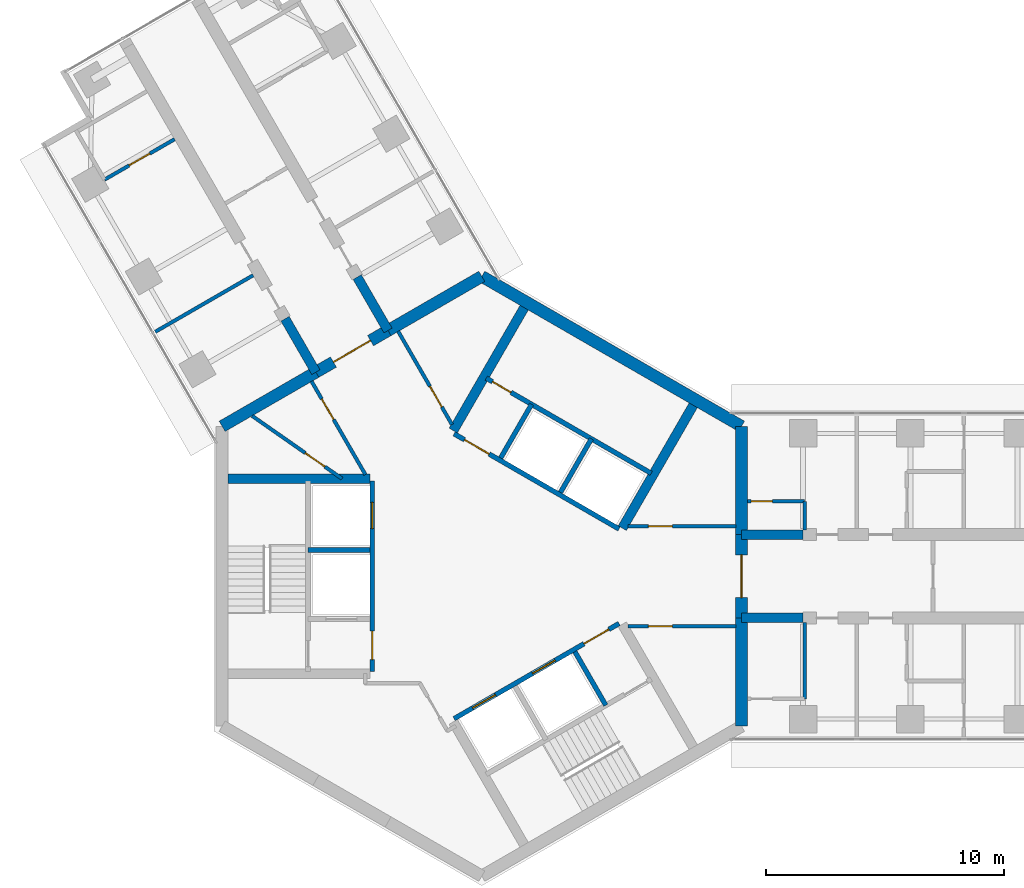
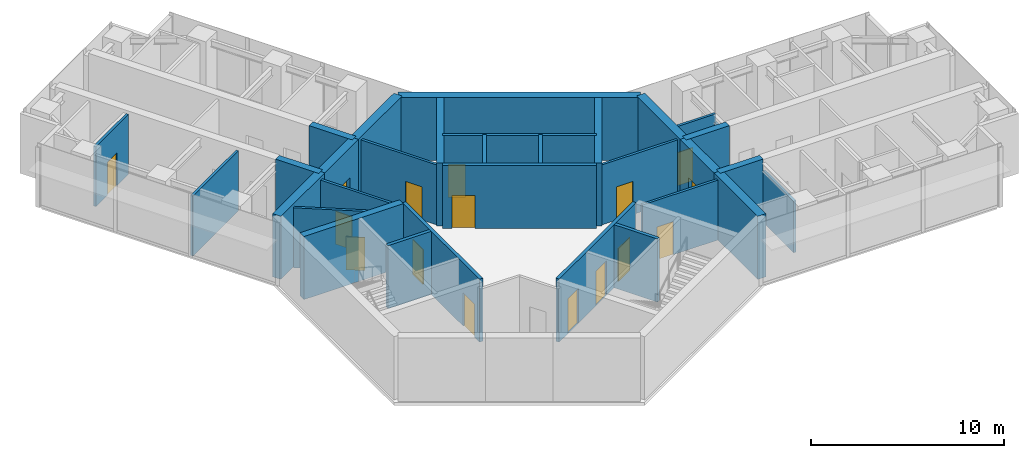
# One storey, part 12 of 17: 32 walls, 16 doors, 16 openings.
"""IFC4 building model written with IfcOpenShell, lengths in metres."""

from ifc_helpers import new_model, si_unit, direction, frame, frame_2d, origin, place, context, subcontext, project, spatial, rectangle, extrude, material, layer, layer_set, type_object, element, fill, save


model = new_model("IFC4")

# Units and contexts
model_context = context("Model", 3, precision=1e-05, world=origin(), true_north=direction((0.0, 1.0)))
body_context = subcontext(model_context, "Body", "Model", "MODEL_VIEW")
ifc_project = project(units=[si_unit("LENGTHUNIT", "METRE"), si_unit("AREAUNIT", "SQUARE_METRE"), si_unit("VOLUMEUNIT", "CUBIC_METRE"), si_unit("PLANEANGLEUNIT", "RADIAN"), si_unit("MASSUNIT", "GRAM", prefix="KILO")], contexts=[model_context])

# Site, building, storey
site_placement = place(None, origin())
site = spatial("IfcSite", under=ifc_project, at=site_placement, CompositionType="ELEMENT")
building_placement = place(site_placement, origin())
building = spatial("IfcBuilding", under=site, at=building_placement, Name="Upepo Twin Towers", CompositionType="ELEMENT")
storey_placement = place(building_placement, frame((0.0, 0.0, 214.5)))
storey = spatial("IfcBuildingStorey", under=building, at=storey_placement, Name="L52", CompositionType="ELEMENT", Elevation=214.5)

# Walls
ifc_material_1 = material(Name="Concrete C60/75", Category="concrete")
ifc_layer_1 = layer(ifc_material_1, 0.39990234375)
ifc_layer_set_1 = layer_set([ifc_layer_1], Name="Concrete C60/75")
wall_type_1 = type_object("IfcWallType", Name="Buttress wall 400 RC", PredefinedType="SHEAR", material=ifc_layer_set_1)
for number, where, z_axis, x_axis, name in (
    (1, (10.908447265625, 1.75, 0.0), (0.0, 0.0, 1.0), (1.0, 0.0, 0.0), "T1 wing A buttress wall L"),
    (2, (10.908447265625, -1.75, 0.0), (0.0, 0.0, 1.0), (1.0, 0.0, 0.0), "T1 wing A buttress wall R"),
):
    element("IfcWall", number, at=place(storey_placement, frame(where, z_axis=z_axis, x_axis=x_axis)), inside=storey, type_object=wall_type_1, Name=name, PredefinedType="SHEAR", context=body_context, shape_type="SweptSolid", body=[
        extrude(rectangle(XDim=2.591552734375, YDim=0.39990234375, at=frame_2d((1.2958984375, 0.0))), origin(), (0.0, 0.0, 1.0), 4.0),
    ])
for number, where, z_axis, x_axis, name in (
    (3, (-6.9697265625, 8.57177734375, 0.0), (0.0, 0.0, 1.0), (-0.499988811324, 0.866031863473, 0.0), "T1 wing B buttress wall L"),
    (4, (-3.938720703125, 10.32177734375, 0.0), (0.0, 0.0, 1.0), (-0.499918158782, 0.866072649678, 0.0), "T1 wing B buttress wall R"),
):
    element("IfcWall", number, at=place(storey_placement, frame(where, z_axis=z_axis, x_axis=x_axis)), inside=storey, type_object=wall_type_1, Name=name, PredefinedType="SHEAR", context=body_context, shape_type="SweptSolid", body=[
        extrude(rectangle(XDim=2.591796875, YDim=0.39990234375, at=frame_2d((1.2958984375, 0.0))), origin(), (0.0, 0.0, 1.0), 4.0),
    ])
ifc_material_2 = material(Name="Concrete C60/75", Category="concrete")
ifc_layer_2 = layer(ifc_material_2, 0.5)
ifc_layer_set_2 = layer_set([ifc_layer_2], Name="Concrete C60/75")
wall_type_2 = type_object("IfcWallType", Name="Core wall 500 RC", PredefinedType="SHEAR", material=ifc_layer_set_2)
wall_1_placement = place(storey_placement, frame((10.908447265625, -6.2978515625, 0.0), z_axis=(0.0, 0.0, 1.0), x_axis=(0.0, 1.0, 0.0)))
element("IfcWall", 5, at=wall_1_placement, inside=storey, type_object=wall_type_2, Name="T1 core wall 000 R", PredefinedType="SHEAR", context=body_context, shape_type="SweptSolid", body=[
    extrude(rectangle(XDim=4.5478515625, YDim=0.5, at=frame_2d((2.27392578125, 0.0))), origin(), (0.0, 0.0, 1.0), 4.0),
])

# Wall, opening, door
wall_2_placement = place(storey_placement, frame((10.908447265625, -1.75, 0.0), z_axis=(0.0, 0.0, 1.0), x_axis=(0.0, 1.0, 0.0)))
wall_2 = element("IfcWall", 6, at=wall_2_placement, inside=storey, type_object=wall_type_2, Name="T1 core wall 000", PredefinedType="SHEAR", context=body_context, shape_type="SweptSolid", body=[
    extrude(rectangle(XDim=3.5, YDim=0.5, at=frame_2d((1.75, 0.0))), origin(), (0.0, 0.0, 1.0), 4.0),
])
opening_1_placement = place(wall_2_placement, frame((0.85009765625, 0.0, 0.0)))
opening_1 = element("IfcOpeningElement", 7, at=opening_1_placement, cuts=wall_2, Name="Opening D2", PredefinedType="OPENING", context=body_context, shape_type="SweptSolid", body=[
    extrude(rectangle(XDim=1.800048828125, YDim=2.10009765625, at=frame_2d((0.89990234375, 1.050048828125))), frame((0.0, 0.260009765625, 0.0), z_axis=(0.0, -1.0, 0.0), x_axis=(1.0, 0.0, 0.0)), (0.0, 0.0, 1.0), 0.52001953125),
])
ifc_material_3 = material(Name="Timber doorset", Category="wood")
door_type_1 = type_object("IfcDoorType", Name="Corridor double door 1800 FD60", OperationType="DOUBLE_DOOR_DOUBLE_SWING", PredefinedType="DOOR", material=ifc_material_3)
door_1_placement = place(opening_1_placement, origin())
door_1 = element("IfcDoor", 8, at=door_1_placement, inside=storey, type_object=door_type_1, Name="T1 L52 wing A corridor door", OperationType="DOUBLE_DOOR_DOUBLE_SWING", OverallHeight=2.10009765625, OverallWidth=1.800048828125, PredefinedType="DOOR", context=body_context, shape_type="SweptSolid", body=[
    extrude(rectangle(XDim=1.800048828125, YDim=2.10009765625, at=frame_2d((0.89990234375, 1.050048828125))), frame((0.0, 0.02490234375, 0.0), z_axis=(0.0, -1.0, 0.0), x_axis=(1.0, 0.0, 0.0)), (0.0, 0.0, 1.0), 0.050048828125),
])
fill(opening_1, door_1)

# Walls
wall_3_placement = place(storey_placement, frame((10.908447265625, 1.75, 0.0), z_axis=(0.0, 0.0, 1.0), x_axis=(0.0, 1.0, 0.0)))
element("IfcWall", 9, at=wall_3_placement, inside=storey, type_object=wall_type_2, Name="T1 core wall 000 L", PredefinedType="SHEAR", context=body_context, shape_type="SweptSolid", body=[
    extrude(rectangle(XDim=4.5478515625, YDim=0.5, at=frame_2d((2.27392578125, 0.0))), origin(), (0.0, 0.0, 1.0), 4.0),
])
wall_4_placement = place(storey_placement, frame((10.908447265625, 6.2978515625, 0.0), z_axis=(0.0, 0.0, 1.0), x_axis=(-0.866021940709, 0.500005998175, 0.0)))
element("IfcWall", 10, at=wall_4_placement, inside=storey, type_object=wall_type_2, Name="T1 core wall 060", PredefinedType="SHEAR", context=body_context, shape_type="SweptSolid", body=[
    extrude(rectangle(XDim=12.595947265625, YDim=0.5, at=frame_2d((6.2978515625, 0.0))), origin(), (0.0, 0.0, 1.0), 4.0),
])
wall_5_placement = place(storey_placement, frame((0.0, 12.595947265625, 0.0), z_axis=(0.0, 0.0, 1.0), x_axis=(-0.866011268655, -0.500024481964, 0.0)))
element("IfcWall", 11, at=wall_5_placement, inside=storey, type_object=wall_type_2, Name="T1 core wall 120 R", PredefinedType="SHEAR", context=body_context, shape_type="SweptSolid", body=[
    extrude(rectangle(XDim=4.548095703125, YDim=0.5, at=frame_2d((2.27392578125, 0.0))), origin(), (0.0, 0.0, 1.0), 4.0),
])

# Wall, opening, door
wall_6_placement = place(storey_placement, frame((-3.938720703125, 10.32177734375, 0.0), z_axis=(0.0, 0.0, 1.0), x_axis=(-0.866019471182, -0.500010275428, 0.0)))
wall_6 = element("IfcWall", 12, at=wall_6_placement, inside=storey, type_object=wall_type_2, Name="T1 core wall 120", PredefinedType="SHEAR", context=body_context, shape_type="SweptSolid", body=[
    extrude(rectangle(XDim=3.5, YDim=0.5, at=frame_2d((1.75, 0.0))), origin(), (0.0, 0.0, 1.0), 4.0),
])
opening_2_placement = place(wall_6_placement, frame((0.85009765625, 0.0, 0.0)))
opening_2 = element("IfcOpeningElement", 13, at=opening_2_placement, cuts=wall_6, Name="Opening D2", PredefinedType="OPENING", context=body_context, shape_type="SweptSolid", body=[
    extrude(rectangle(XDim=1.800048828125, YDim=2.10009765625, at=frame_2d((0.89990234375, 1.050048828125))), frame((0.0, 0.260009765625, 0.0), z_axis=(0.0, -1.0, 0.0), x_axis=(1.0, 0.0, 0.0)), (0.0, 0.0, 1.0), 0.52001953125),
])
door_2_placement = place(opening_2_placement, origin())
door_2 = element("IfcDoor", 14, at=door_2_placement, inside=storey, type_object=door_type_1, Name="T1 L52 wing B corridor door", OperationType="DOUBLE_DOOR_DOUBLE_SWING", OverallHeight=2.10009765625, OverallWidth=1.800048828125, PredefinedType="DOOR", context=body_context, shape_type="SweptSolid", body=[
    extrude(rectangle(XDim=1.800048828125, YDim=2.10009765625, at=frame_2d((0.89990234375, 1.050048828125))), frame((0.0, 0.02490234375, 0.0), z_axis=(0.0, -1.0, 0.0), x_axis=(1.0, 0.0, 0.0)), (0.0, 0.0, 1.0), 0.050048828125),
])
fill(opening_2, door_2)

# Wall
wall_7_placement = place(storey_placement, frame((-6.9697265625, 8.57177734375, 0.0), z_axis=(0.0, 0.0, 1.0), x_axis=(-0.866034513004, -0.499984222037, 0.0)))
element("IfcWall", 15, at=wall_7_placement, inside=storey, type_object=wall_type_2, Name="T1 core wall 120 L", PredefinedType="SHEAR", context=body_context, shape_type="SweptSolid", body=[
    extrude(rectangle(XDim=4.548095703125, YDim=0.5, at=frame_2d((2.27392578125, 0.0))), origin(), (0.0, 0.0, 1.0), 4.0),
])

# Wall, opening, door
ifc_material_4 = material(Name="Concrete C40/50", Category="concrete")
ifc_layer_3 = layer(ifc_material_4, 0.199951171875)
ifc_layer_set_3 = layer_set([ifc_layer_3], Name="Concrete C40/50")
wall_type_3 = type_object("IfcWallType", Name="Shaft wall 200 RC", PredefinedType="SHEAR", material=ifc_layer_set_3)
wall_8_placement = place(storey_placement, frame((5.76416015625, 1.983642578125, 0.0), z_axis=(0.0, 0.0, 1.0), x_axis=(-0.866026010844, 0.49999894854, 0.0)))
wall_8 = element("IfcWall", 16, at=wall_8_placement, inside=storey, type_object=wall_type_3, Name="T1 core W60 front wall", PredefinedType="SHEAR", context=body_context, shape_type="SweptSolid", body=[
    extrude(rectangle(XDim=8.0, YDim=0.199951171875, at=frame_2d((4.0, 0.0))), origin(), (0.0, 0.0, 1.0), 4.0),
])
opening_3_placement = place(wall_8_placement, frame((6.300048828125, 0.0, 0.0)))
opening_3 = element("IfcOpeningElement", 17, at=opening_3_placement, cuts=wall_8, Name="Opening D4", PredefinedType="OPENING", context=body_context, shape_type="SweptSolid", body=[
    extrude(rectangle(XDim=1.199951171875, YDim=2.10009765625, at=frame_2d((0.60009765625, 1.050048828125))), frame((0.0, 0.10986328125, 0.0), z_axis=(0.0, -1.0, 0.0), x_axis=(1.0, 0.0, 0.0)), (0.0, 0.0, 1.0), 0.219970703125),
])
ifc_material_5 = material(Name="Timber doorset", Category="wood")
door_type_2 = type_object("IfcDoorType", Name="Lobby door 1200 FD60", OperationType="SINGLE_SWING_LEFT", PredefinedType="DOOR", material=ifc_material_5)
door_3_placement = place(opening_3_placement, origin())
door_3 = element("IfcDoor", 18, at=door_3_placement, inside=storey, type_object=door_type_2, Name="T1 L52 W60 lobby door", OperationType="SINGLE_SWING_RIGHT", OverallHeight=2.10009765625, OverallWidth=1.199951171875, PredefinedType="DOOR", context=body_context, shape_type="SweptSolid", body=[
    extrude(rectangle(XDim=1.199951171875, YDim=2.10009765625, at=frame_2d((0.60009765625, 1.050048828125))), frame((0.0, 0.02490234375, 0.0), z_axis=(0.0, -1.0, 0.0), x_axis=(1.0, 0.0, 0.0)), (0.0, 0.0, 1.0), 0.050048828125),
])
fill(opening_3, door_3)

# Walls
for number, where, z_axis, x_axis, name in (
    (19, (3.302734375, 3.520263671875, 0.0), (0.0, 0.0, 1.0), (0.499936506574, 0.866062058628, 0.0), "T1 core W60 shaft divider"),
    (20, (0.791259765625, 4.97021484375, 0.0), (0.0, 0.0, 1.0), (0.499936506574, 0.866062058628, 0.0), "T1 core W60 lobby wall"),
):
    element("IfcWall", number, at=place(storey_placement, frame(where, z_axis=z_axis, x_axis=x_axis)), inside=storey, type_object=wall_type_3, Name=name, PredefinedType="SHEAR", context=body_context, shape_type="SweptSolid", body=[
        extrude(rectangle(XDim=2.599853515625, YDim=0.199951171875, at=frame_2d((1.2998046875, 0.0))), origin(), (0.0, 0.0, 1.0), 4.0),
    ])

# Wall, opening, door
wall_9_placement = place(storey_placement, frame((7.114013671875, 4.322021484375, 0.0), z_axis=(0.0, 0.0, 1.0), x_axis=(-0.866026010844, 0.49999894854, 0.0)))
wall_9 = element("IfcWall", 21, at=wall_9_placement, inside=storey, type_object=wall_type_3, Name="T1 core W60 stair wall", PredefinedType="SHEAR", context=body_context, shape_type="SweptSolid", body=[
    extrude(rectangle(XDim=8.0, YDim=0.199951171875, at=frame_2d((4.0, 0.0))), origin(), (0.0, 0.0, 1.0), 4.0),
])
opening_4_placement = place(wall_9_placement, frame((6.800048828125, 0.0, 0.0)))
opening_4 = element("IfcOpeningElement", 22, at=opening_4_placement, cuts=wall_9, Name="Opening D9", PredefinedType="OPENING", context=body_context, shape_type="SweptSolid", body=[
    extrude(rectangle(XDim=0.89990234375, YDim=2.10009765625, at=frame_2d((0.449951171875, 1.050048828125))), frame((0.0, 0.10986328125, 0.0), z_axis=(0.0, -1.0, 0.0), x_axis=(1.0, 0.0, 0.0)), (0.0, 0.0, 1.0), 0.219970703125),
])
ifc_material_6 = material(Name="Timber doorset", Category="wood")
door_type_3 = type_object("IfcDoorType", Name="Riser door 900 FD60", OperationType="SINGLE_SWING_LEFT", PredefinedType="DOOR", material=ifc_material_6)
door_4_placement = place(opening_4_placement, origin())
door_4 = element("IfcDoor", 23, at=door_4_placement, inside=storey, type_object=door_type_3, Name="T1 L52 riser door", OperationType="SINGLE_SWING_RIGHT", OverallHeight=2.10009765625, OverallWidth=0.89990234375, PredefinedType="DOOR", context=body_context, shape_type="SweptSolid", body=[
    extrude(rectangle(XDim=0.89990234375, YDim=2.10009765625, at=frame_2d((0.449951171875, 1.050048828125))), frame((0.0, 0.02490234375, 0.0), z_axis=(0.0, -1.0, 0.0), x_axis=(1.0, 0.0, 0.0)), (0.0, 0.0, 1.0), 0.050048828125),
])
fill(opening_4, door_4)

# Wall, openings, doors
wall_10_placement = place(storey_placement, frame((-4.60009765625, 4.0, 0.0), z_axis=(0.0, 0.0, 1.0), x_axis=(0.0, -1.0, 0.0)))
wall_10 = element("IfcWall", 24, at=wall_10_placement, inside=storey, type_object=wall_type_3, Name="T1 core W180 front wall", PredefinedType="SHEAR", context=body_context, shape_type="SweptSolid", body=[
    extrude(rectangle(XDim=8.0, YDim=0.199951171875, at=frame_2d((4.0, 0.0))), origin(), (0.0, 0.0, 1.0), 4.0),
])
opening_5_placement = place(wall_10_placement, frame((6.300048828125, 0.0, 0.0)))
opening_5 = element("IfcOpeningElement", 25, at=opening_5_placement, cuts=wall_10, Name="Opening D4", PredefinedType="OPENING", context=body_context, shape_type="SweptSolid", body=[
    extrude(rectangle(XDim=1.199951171875, YDim=2.10009765625, at=frame_2d((0.60009765625, 1.050048828125))), frame((0.0, 0.10986328125, 0.0), z_axis=(0.0, -1.0, 0.0), x_axis=(1.0, 0.0, 0.0)), (0.0, 0.0, 1.0), 0.219970703125),
])
opening_6_placement = place(wall_10_placement, frame((0.89990234375, 0.0, 0.0)))
opening_6 = element("IfcOpeningElement", 26, at=opening_6_placement, cuts=wall_10, Name="Opening LD1", PredefinedType="OPENING", context=body_context, shape_type="SweptSolid", body=[
    extrude(rectangle(XDim=1.10009765625, YDim=2.199951171875, at=frame_2d((0.550048828125, 1.10009765625))), frame((0.0, 0.10986328125, 0.0), z_axis=(0.0, -1.0, 0.0), x_axis=(1.0, 0.0, 0.0)), (0.0, 0.0, 1.0), 0.219970703125),
])
ifc_material_7 = material(Name="Steel doorset", Category="steel")
door_type_4 = type_object("IfcDoorType", Name="Lift landing door 1100", OperationType="DOUBLE_DOOR_SLIDING", PredefinedType="DOOR", material=ifc_material_7)
door_5_placement = place(opening_6_placement, origin())
door_5 = element("IfcDoor", 27, at=door_5_placement, inside=storey, type_object=door_type_4, Name="T1 L52 lift SV1 landing door", OperationType="DOUBLE_DOOR_SLIDING", OverallHeight=2.199951171875, OverallWidth=1.10009765625, PredefinedType="DOOR", context=body_context, shape_type="SweptSolid", body=[
    extrude(rectangle(XDim=1.10009765625, YDim=2.199951171875, at=frame_2d((0.550048828125, 1.10009765625))), frame((0.0, 0.02490234375, 0.0), z_axis=(0.0, -1.0, 0.0), x_axis=(1.0, 0.0, 0.0)), (0.0, 0.0, 1.0), 0.050048828125),
])
fill(opening_6, door_5)
door_6_placement = place(opening_5_placement, origin())
door_6 = element("IfcDoor", 28, at=door_6_placement, inside=storey, type_object=door_type_2, Name="T1 L52 W180 lobby door", OperationType="SINGLE_SWING_RIGHT", OverallHeight=2.10009765625, OverallWidth=1.199951171875, PredefinedType="DOOR", context=body_context, shape_type="SweptSolid", body=[
    extrude(rectangle(XDim=1.199951171875, YDim=2.10009765625, at=frame_2d((0.60009765625, 1.050048828125))), frame((0.0, 0.02490234375, 0.0), z_axis=(0.0, -1.0, 0.0), x_axis=(1.0, 0.0, 0.0)), (0.0, 0.0, 1.0), 0.050048828125),
])
fill(opening_5, door_6)

# Wall
wall_11_placement = place(storey_placement, frame((-4.699951171875, 1.10009765625, 0.0), z_axis=(0.0, 0.0, 1.0), x_axis=(-1.0, 0.0, 0.0)))
element("IfcWall", 29, at=wall_11_placement, inside=storey, type_object=wall_type_3, Name="T1 core W180 shaft divider", PredefinedType="SHEAR", context=body_context, shape_type="SweptSolid", body=[
    extrude(rectangle(XDim=2.60009765625, YDim=0.199951171875, at=frame_2d((1.300048828125, 0.0))), origin(), (0.0, 0.0, 1.0), 4.0),
])

# Wall, openings, doors
wall_12_placement = place(storey_placement, frame((-1.1640625, -5.983642578125, 0.0), z_axis=(0.0, 0.0, 1.0), x_axis=(0.866026010844, 0.49999894854, 0.0)))
wall_12 = element("IfcWall", 30, at=wall_12_placement, inside=storey, type_object=wall_type_3, Name="T1 core W300 front wall", PredefinedType="SHEAR", context=body_context, shape_type="SweptSolid", body=[
    extrude(rectangle(XDim=8.0, YDim=0.199951171875, at=frame_2d((4.0, 0.0))), origin(), (0.0, 0.0, 1.0), 4.0),
])
opening_7_placement = place(wall_12_placement, frame((6.300048828125, 0.0, 0.0)))
opening_7 = element("IfcOpeningElement", 31, at=opening_7_placement, cuts=wall_12, Name="Opening D4", PredefinedType="OPENING", context=body_context, shape_type="SweptSolid", body=[
    extrude(rectangle(XDim=1.199951171875, YDim=2.10009765625, at=frame_2d((0.60009765625, 1.050048828125))), frame((0.0, 0.10986328125, 0.0), z_axis=(0.0, -1.0, 0.0), x_axis=(1.0, 0.0, 0.0)), (0.0, 0.0, 1.0), 0.219970703125),
])
opening_8_placement = place(wall_12_placement, frame((0.89990234375, 0.0, 0.0)))
opening_8 = element("IfcOpeningElement", 32, at=opening_8_placement, cuts=wall_12, Name="Opening LD1", PredefinedType="OPENING", context=body_context, shape_type="SweptSolid", body=[
    extrude(rectangle(XDim=1.10009765625, YDim=2.199951171875, at=frame_2d((0.550048828125, 1.10009765625))), frame((0.0, 0.10986328125, 0.0), z_axis=(0.0, -1.0, 0.0), x_axis=(1.0, 0.0, 0.0)), (0.0, 0.0, 1.0), 0.219970703125),
])
opening_9_placement = place(wall_12_placement, frame((3.800048828125, 0.0, 0.0)))
opening_9 = element("IfcOpeningElement", 33, at=opening_9_placement, cuts=wall_12, Name="Opening LD1", PredefinedType="OPENING", context=body_context, shape_type="SweptSolid", body=[
    extrude(rectangle(XDim=1.10009765625, YDim=2.199951171875, at=frame_2d((0.550048828125, 1.10009765625))), frame((0.0, 0.10986328125, 0.0), z_axis=(0.0, -1.0, 0.0), x_axis=(1.0, 0.0, 0.0)), (0.0, 0.0, 1.0), 0.219970703125),
])
door_7_placement = place(opening_8_placement, origin())
door_7 = element("IfcDoor", 34, at=door_7_placement, inside=storey, type_object=door_type_4, Name="T1 L52 lift UL1 landing door", OperationType="DOUBLE_DOOR_SLIDING", OverallHeight=2.199951171875, OverallWidth=1.10009765625, PredefinedType="DOOR", context=body_context, shape_type="SweptSolid", body=[
    extrude(rectangle(XDim=1.10009765625, YDim=2.199951171875, at=frame_2d((0.550048828125, 1.10009765625))), frame((0.0, 0.02490234375, 0.0), z_axis=(0.0, -1.0, 0.0), x_axis=(1.0, 0.0, 0.0)), (0.0, 0.0, 1.0), 0.050048828125),
])
fill(opening_8, door_7)
door_8_placement = place(opening_9_placement, origin())
door_8 = element("IfcDoor", 35, at=door_8_placement, inside=storey, type_object=door_type_4, Name="T1 L52 lift UL2 landing door", OperationType="DOUBLE_DOOR_SLIDING", OverallHeight=2.199951171875, OverallWidth=1.10009765625, PredefinedType="DOOR", context=body_context, shape_type="SweptSolid", body=[
    extrude(rectangle(XDim=1.10009765625, YDim=2.199951171875, at=frame_2d((0.550048828125, 1.10009765625))), frame((0.0, 0.02490234375, 0.0), z_axis=(0.0, -1.0, 0.0), x_axis=(1.0, 0.0, 0.0)), (0.0, 0.0, 1.0), 0.050048828125),
])
fill(opening_9, door_8)
door_9_placement = place(opening_7_placement, origin())
door_9 = element("IfcDoor", 36, at=door_9_placement, inside=storey, type_object=door_type_2, Name="T1 L52 W300 lobby door", OperationType="SINGLE_SWING_RIGHT", OverallHeight=2.10009765625, OverallWidth=1.199951171875, PredefinedType="DOOR", context=body_context, shape_type="SweptSolid", body=[
    extrude(rectangle(XDim=1.199951171875, YDim=2.10009765625, at=frame_2d((0.60009765625, 1.050048828125))), frame((0.0, 0.02490234375, 0.0), z_axis=(0.0, -1.0, 0.0), x_axis=(1.0, 0.0, 0.0)), (0.0, 0.0, 1.0), 0.050048828125),
])
fill(opening_7, door_9)

# Walls
wall_13_placement = place(storey_placement, frame((3.908935546875, -3.17041015625, 0.0), z_axis=(0.0, 0.0, 1.0), x_axis=(0.49997716683, -0.86603858612, 0.0)))
element("IfcWall", 37, at=wall_13_placement, inside=storey, type_object=wall_type_3, Name="T1 core W300 lobby wall", PredefinedType="SHEAR", context=body_context, shape_type="SweptSolid", body=[
    extrude(rectangle(XDim=2.599609375, YDim=0.199951171875, at=frame_2d((1.2998046875, 0.0))), origin(), (0.0, 0.0, 1.0), 4.0),
])
ifc_material_8 = material(Name="Concrete C40/50", Category="concrete")
ifc_layer_4 = layer(ifc_material_8, 0.39990234375)
ifc_layer_set_4 = layer_set([ifc_layer_4], Name="Concrete C40/50")
wall_type_4 = type_object("IfcWallType", Name="Shaft wall 400 RC", PredefinedType="SHEAR", material=ifc_layer_set_4)
wall_14_placement = place(storey_placement, frame((-1.20068359375, 6.120361328125, 0.0), z_axis=(0.0, 0.0, 1.0), x_axis=(0.500021575205, 0.866012946976, 0.0)))
element("IfcWall", 38, at=wall_14_placement, inside=storey, type_object=wall_type_4, Name="T1 core W60 side wall N", PredefinedType="SHEAR", context=body_context, shape_type="SweptSolid", body=[
    extrude(rectangle(XDim=5.958251953125, YDim=0.39990234375, at=frame_2d((2.97900390625, 0.0))), origin(), (0.0, 0.0, 1.0), 4.0),
])
for number, where, z_axis, x_axis, name in (
    (39, (5.900634765625, 2.020263671875, 0.0), (0.0, 0.0, 1.0), (0.500003832394, 0.86602319114, 0.0), "T1 core W60 side wall S"),
    (40, (-4.699951171875, 4.10009765625, 0.0), (0.0, 0.0, 1.0), (-1.0, 0.0, 0.0), "T1 core W180 side wall S"),
):
    element("IfcWall", number, at=place(storey_placement, frame(where, z_axis=z_axis, x_axis=x_axis)), inside=storey, type_object=wall_type_4, Name=name, PredefinedType="SHEAR", context=body_context, shape_type="SweptSolid", body=[
        extrude(rectangle(XDim=5.95849609375, YDim=0.39990234375, at=frame_2d((2.979248046875, 0.0))), origin(), (0.0, 0.0, 1.0), 4.0),
    ])

# Wall, opening, door
ifc_material_9 = material(Name="Gypsum board on steel studs", Category="steel")
ifc_layer_5 = layer(ifc_material_9, 0.14990234375)
ifc_layer_set_5 = layer_set([ifc_layer_5], Name="Teaching partition 150 acoustic")
wall_type_5 = type_object("IfcWallType", Name="Teaching partition 150 acoustic", PredefinedType="PARTITIONING", material=ifc_layer_set_5)
wall_15_placement = place(storey_placement, frame((11.157958984375, 3.14990234375, 0.0), z_axis=(0.0, 0.0, 1.0), x_axis=(1.0, 0.0, 0.0)))
wall_15 = element("IfcWall", 41, at=wall_15_placement, inside=storey, type_object=wall_type_5, Name="T1 WC bay partition AL at 11.16", PredefinedType="PARTITIONING", context=body_context, shape_type="SweptSolid", body=[
    extrude(rectangle(XDim=2.400146484375, YDim=0.14990234375, at=frame_2d((1.2001953125, 0.0))), origin(), (0.0, 0.0, 1.0), 3.800048828125),
])
opening_10_placement = place(wall_15_placement, frame((0.14990234375, 0.0, 0.0)))
opening_10 = element("IfcOpeningElement", 42, at=opening_10_placement, cuts=wall_15, Name="Opening D14", PredefinedType="OPENING", context=body_context, shape_type="SweptSolid", body=[
    extrude(rectangle(XDim=0.89990234375, YDim=2.10009765625, at=frame_2d((0.449951171875, 1.050048828125))), frame((0.0, 0.0849609375, 0.0), z_axis=(0.0, -1.0, 0.0), x_axis=(1.0, 0.0, 0.0)), (0.0, 0.0, 1.0), 0.169921875),
])
ifc_material_10 = material(Name="Timber doorset", Category="wood")
door_type_5 = type_object("IfcDoorType", Name="Office door 900 FD30", OperationType="SINGLE_SWING_LEFT", PredefinedType="DOOR", material=ifc_material_10)
door_10_placement = place(opening_10_placement, origin())
door_10 = element("IfcDoor", 43, at=door_10_placement, inside=storey, type_object=door_type_5, Name="T1 L52 WC bay inner room door", OperationType="SINGLE_SWING_LEFT", OverallHeight=2.10009765625, OverallWidth=0.89990234375, PredefinedType="DOOR", context=body_context, shape_type="SweptSolid", body=[
    extrude(rectangle(XDim=0.89990234375, YDim=2.10009765625, at=frame_2d((0.449951171875, 1.050048828125))), frame((0.0, 0.02490234375, 0.0), z_axis=(0.0, -1.0, 0.0), x_axis=(1.0, 0.0, 0.0)), (0.0, 0.0, 1.0), 0.050048828125),
])
fill(opening_10, door_10)

# Walls
wall_16_placement = place(storey_placement, frame((13.55810546875, 1.949951171875, 0.0), z_axis=(0.0, 0.0, 1.0), x_axis=(0.0, 1.0, 0.0)))
element("IfcWall", 44, at=wall_16_placement, inside=storey, type_object=wall_type_5, Name="T1 WC bay partition AL end at 13.56", PredefinedType="PARTITIONING", context=body_context, shape_type="SweptSolid", body=[
    extrude(rectangle(XDim=1.199951171875, YDim=0.14990234375, at=frame_2d((0.60009765625, 0.0))), origin(), (0.0, 0.0, 1.0), 3.266845703125),
])
wall_17_placement = place(storey_placement, frame((13.55810546875, -1.949951171875, 0.0), z_axis=(0.0, 0.0, 1.0), x_axis=(0.0, -1.0, 0.0)))
element("IfcWall", 45, at=wall_17_placement, inside=storey, type_object=wall_type_5, Name="T1 WC bay partition AR end at 13.56", PredefinedType="PARTITIONING", context=body_context, shape_type="SweptSolid", body=[
    extrude(rectangle(XDim=3.199951171875, YDim=0.14990234375, at=frame_2d((1.60009765625, 0.0))), origin(), (0.0, 0.0, 1.0), 3.266845703125),
])
wall_18_placement = place(storey_placement, frame((-9.60693359375, 12.639892578125, 0.0), z_axis=(0.0, 0.0, 1.0), x_axis=(-0.866033238375, -0.499986429846, 0.0)))
element("IfcWall", 46, at=wall_18_placement, inside=storey, type_object=wall_type_5, Name="T1 partition BL at 15.75", PredefinedType="PARTITIONING", context=body_context, shape_type="SweptSolid", body=[
    extrude(rectangle(XDim=4.750244140625, YDim=0.14990234375, at=frame_2d((2.375, 0.0))), origin(), (0.0, 0.0, 1.0), 3.800048828125),
])

# Wall, opening, door
wall_19_placement = place(storey_placement, frame((-12.906982421875, 18.355712890625, 0.0), z_axis=(0.0, 0.0, 1.0), x_axis=(-0.866038511948, -0.499977295307, 0.0)))
wall_19 = element("IfcWall", 47, at=wall_19_placement, inside=storey, type_object=wall_type_5, Name="T1 inner room partition BL end at 22.35", PredefinedType="PARTITIONING", context=body_context, shape_type="SweptSolid", body=[
    extrude(rectangle(XDim=3.400146484375, YDim=0.14990234375, at=frame_2d((1.7001953125, 0.0))), origin(), (0.0, 0.0, 1.0), 3.800048828125),
])
opening_11_placement = place(wall_19_placement, frame((1.199951171875, 0.0, 0.0)))
opening_11 = element("IfcOpeningElement", 48, at=opening_11_placement, cuts=wall_19, Name="Opening D1", PredefinedType="OPENING", context=body_context, shape_type="SweptSolid", body=[
    extrude(rectangle(XDim=1.0, YDim=2.10009765625, at=frame_2d((0.5, 1.050048828125))), frame((0.0, 0.0849609375, 0.0), z_axis=(0.0, -1.0, 0.0), x_axis=(1.0, 0.0, 0.0)), (0.0, 0.0, 1.0), 0.169921875),
])
ifc_material_11 = material(Name="Timber doorset", Category="wood")
door_type_6 = type_object("IfcDoorType", Name="Room door 1000 FD30", OperationType="SINGLE_SWING_LEFT", PredefinedType="DOOR", material=ifc_material_11)
door_11_placement = place(opening_11_placement, origin())
door_11 = element("IfcDoor", 49, at=door_11_placement, inside=storey, type_object=door_type_6, Name="T1 L52 inner room door", OperationType="SINGLE_SWING_LEFT", OverallHeight=2.10009765625, OverallWidth=1.0, PredefinedType="DOOR", context=body_context, shape_type="SweptSolid", body=[
    extrude(rectangle(XDim=1.0, YDim=2.10009765625, at=frame_2d((0.5, 1.050048828125))), frame((0.0, 0.02490234375, 0.0), z_axis=(0.0, -1.0, 0.0), x_axis=(1.0, 0.0, 0.0)), (0.0, 0.0, 1.0), 0.050048828125),
])
fill(opening_11, door_11)

wall_20_placement = place(storey_placement, frame((-4.889892578125, 4.269775390625, 0.0), z_axis=(0.0, 0.0, 1.0), x_axis=(-0.500032211057, 0.866006805923, 0.0)))
wall_20 = element("IfcWall", 50, at=wall_20_placement, inside=storey, type_object=wall_type_5, Name="T1 core room partition 4", PredefinedType="PARTITIONING", context=body_context, shape_type="SweptSolid", body=[
    extrude(rectangle(XDim=4.525634765625, YDim=0.14990234375, at=frame_2d((2.2626953125, 0.0))), origin(), (0.0, 0.0, 1.0), 3.800048828125),
])
opening_12_placement = place(wall_20_placement, frame((2.66796875, 0.0, 0.0)))
opening_12 = element("IfcOpeningElement", 51, at=opening_12_placement, cuts=wall_20, Name="Opening D1", PredefinedType="OPENING", context=body_context, shape_type="SweptSolid", body=[
    extrude(rectangle(XDim=1.0, YDim=2.10009765625, at=frame_2d((0.5, 1.050048828125))), frame((0.0, 0.0849609375, 0.0), z_axis=(0.0, -1.0, 0.0), x_axis=(1.0, 0.0, 0.0)), (0.0, 0.0, 1.0), 0.169921875),
])
door_12_placement = place(opening_12_placement, origin())
door_12 = element("IfcDoor", 52, at=door_12_placement, inside=storey, type_object=door_type_6, Name="T1 L52 core room door K6", OperationType="SINGLE_SWING_RIGHT", OverallHeight=2.10009765625, OverallWidth=1.0, PredefinedType="DOOR", context=body_context, shape_type="SweptSolid", body=[
    extrude(rectangle(XDim=1.0, YDim=2.10009765625, at=frame_2d((0.5, 1.050048828125))), frame((0.0, 0.02490234375, 0.0), z_axis=(0.0, -1.0, 0.0), x_axis=(1.0, 0.0, 0.0)), (0.0, 0.0, 1.0), 0.050048828125),
])
fill(opening_12, door_12)

wall_21_placement = place(storey_placement, frame((-3.515380859375, 10.2890625, 0.0), z_axis=(0.0, 0.0, 1.0), x_axis=(0.499968392031, -0.866043651885, 0.0)))
wall_21 = element("IfcWall", 53, at=wall_21_placement, inside=storey, type_object=wall_type_5, Name="T1 core room partition 5", PredefinedType="PARTITIONING", context=body_context, shape_type="SweptSolid", body=[
    extrude(rectangle(XDim=4.525634765625, YDim=0.14990234375, at=frame_2d((2.2626953125, 0.0))), origin(), (0.0, 0.0, 1.0), 3.800048828125),
])
opening_13_placement = place(wall_21_placement, frame((2.66796875, 0.0, 0.0)))
opening_13 = element("IfcOpeningElement", 54, at=opening_13_placement, cuts=wall_21, Name="Opening D1", PredefinedType="OPENING", context=body_context, shape_type="SweptSolid", body=[
    extrude(rectangle(XDim=1.0, YDim=2.10009765625, at=frame_2d((0.5, 1.050048828125))), frame((0.0, 0.0849609375, 0.0), z_axis=(0.0, -1.0, 0.0), x_axis=(1.0, 0.0, 0.0)), (0.0, 0.0, 1.0), 0.169921875),
])
door_13_placement = place(opening_13_placement, origin())
door_13 = element("IfcDoor", 55, at=door_13_placement, inside=storey, type_object=door_type_6, Name="T1 L52 core room door K4", OperationType="SINGLE_SWING_RIGHT", OverallHeight=2.10009765625, OverallWidth=1.0, PredefinedType="DOOR", context=body_context, shape_type="SweptSolid", body=[
    extrude(rectangle(XDim=1.0, YDim=2.10009765625, at=frame_2d((0.5, 1.050048828125))), frame((0.0, 0.02490234375, 0.0), z_axis=(0.0, -1.0, 0.0), x_axis=(1.0, 0.0, 0.0)), (0.0, 0.0, 1.0), 0.050048828125),
])
fill(opening_13, door_13)

wall_22_placement = place(storey_placement, frame((6.142578125, 2.10009765625, 0.0), z_axis=(0.0, 0.0, 1.0), x_axis=(1.0, 0.0, 0.0)))
wall_22 = element("IfcWall", 56, at=wall_22_placement, inside=storey, type_object=wall_type_5, Name="T1 core room partition 6", PredefinedType="PARTITIONING", context=body_context, shape_type="SweptSolid", body=[
    extrude(rectangle(XDim=4.525634765625, YDim=0.14990234375, at=frame_2d((2.2626953125, 0.0))), origin(), (0.0, 0.0, 1.0), 3.800048828125),
])
opening_14_placement = place(wall_22_placement, frame((0.857666015625, 0.0, 0.0)))
opening_14 = element("IfcOpeningElement", 57, at=opening_14_placement, cuts=wall_22, Name="Opening D1", PredefinedType="OPENING", context=body_context, shape_type="SweptSolid", body=[
    extrude(rectangle(XDim=1.0, YDim=2.10009765625, at=frame_2d((0.5, 1.050048828125))), frame((0.0, 0.0849609375, 0.0), z_axis=(0.0, -1.0, 0.0), x_axis=(1.0, 0.0, 0.0)), (0.0, 0.0, 1.0), 0.169921875),
])
door_14_placement = place(opening_14_placement, origin())
door_14 = element("IfcDoor", 58, at=door_14_placement, inside=storey, type_object=door_type_6, Name="T1 L52 core room door K3", OperationType="SINGLE_SWING_LEFT", OverallHeight=2.10009765625, OverallWidth=1.0, PredefinedType="DOOR", context=body_context, shape_type="SweptSolid", body=[
    extrude(rectangle(XDim=1.0, YDim=2.10009765625, at=frame_2d((0.5, 1.050048828125))), frame((0.0, 0.02490234375, 0.0), z_axis=(0.0, -1.0, 0.0), x_axis=(1.0, 0.0, 0.0)), (0.0, 0.0, 1.0), 0.050048828125),
])
fill(opening_14, door_14)

wall_23_placement = place(storey_placement, frame((10.668212890625, -2.10009765625, 0.0), z_axis=(0.0, 0.0, 1.0), x_axis=(-1.0, 0.0, 0.0)))
wall_23 = element("IfcWall", 59, at=wall_23_placement, inside=storey, type_object=wall_type_5, Name="T1 core room partition 7", PredefinedType="PARTITIONING", context=body_context, shape_type="SweptSolid", body=[
    extrude(rectangle(XDim=4.525634765625, YDim=0.14990234375, at=frame_2d((2.2626953125, 0.0))), origin(), (0.0, 0.0, 1.0), 3.800048828125),
])
opening_15_placement = place(wall_23_placement, frame((2.66796875, 0.0, 0.0)))
opening_15 = element("IfcOpeningElement", 60, at=opening_15_placement, cuts=wall_23, Name="Opening D1", PredefinedType="OPENING", context=body_context, shape_type="SweptSolid", body=[
    extrude(rectangle(XDim=1.0, YDim=2.10009765625, at=frame_2d((0.5, 1.050048828125))), frame((0.0, 0.0849609375, 0.0), z_axis=(0.0, -1.0, 0.0), x_axis=(1.0, 0.0, 0.0)), (0.0, 0.0, 1.0), 0.169921875),
])
door_15_placement = place(opening_15_placement, origin())
door_15 = element("IfcDoor", 61, at=door_15_placement, inside=storey, type_object=door_type_6, Name="T1 L52 core room door K2", OperationType="SINGLE_SWING_RIGHT", OverallHeight=2.10009765625, OverallWidth=1.0, PredefinedType="DOOR", context=body_context, shape_type="SweptSolid", body=[
    extrude(rectangle(XDim=1.0, YDim=2.10009765625, at=frame_2d((0.5, 1.050048828125))), frame((0.0, 0.02490234375, 0.0), z_axis=(0.0, -1.0, 0.0), x_axis=(1.0, 0.0, 0.0)), (0.0, 0.0, 1.0), 0.050048828125),
])
fill(opening_15, door_15)

wall_24_placement = place(storey_placement, frame((-5.873291015625, 4.10009765625, 0.0), z_axis=(0.0, 0.0, 1.0), x_axis=(-0.819975923972, 0.572398011969, 0.0)))
wall_24 = element("IfcWall", 62, at=wall_24_placement, inside=storey, type_object=wall_type_5, Name="T1 core room partition 9", PredefinedType="PARTITIONING", context=body_context, shape_type="SweptSolid", body=[
    extrude(rectangle(XDim=4.605224609375, YDim=0.14990234375, at=frame_2d((2.302734375, 0.0))), origin(), (0.0, 0.0, 1.0), 3.800048828125),
])
opening_16_placement = place(wall_24_placement, frame((0.881591796875, 0.0, 0.0)))
opening_16 = element("IfcOpeningElement", 63, at=opening_16_placement, cuts=wall_24, Name="Opening D1", PredefinedType="OPENING", context=body_context, shape_type="SweptSolid", body=[
    extrude(rectangle(XDim=1.0, YDim=2.10009765625, at=frame_2d((0.5, 1.050048828125))), frame((0.0, 0.0849609375, 0.0), z_axis=(0.0, -1.0, 0.0), x_axis=(1.0, 0.0, 0.0)), (0.0, 0.0, 1.0), 0.169921875),
])
door_16_placement = place(opening_16_placement, origin())
door_16 = element("IfcDoor", 64, at=door_16_placement, inside=storey, type_object=door_type_6, Name="T1 L52 core room door K5", OperationType="SINGLE_SWING_LEFT", OverallHeight=2.10009765625, OverallWidth=1.0, PredefinedType="DOOR", context=body_context, shape_type="SweptSolid", body=[
    extrude(rectangle(XDim=1.0, YDim=2.10009765625, at=frame_2d((0.5, 1.050048828125))), frame((0.0, 0.02490234375, 0.0), z_axis=(0.0, -1.0, 0.0), x_axis=(1.0, 0.0, 0.0)), (0.0, 0.0, 1.0), 0.050048828125),
])
fill(opening_16, door_16)

save(model, "model.ifc")
